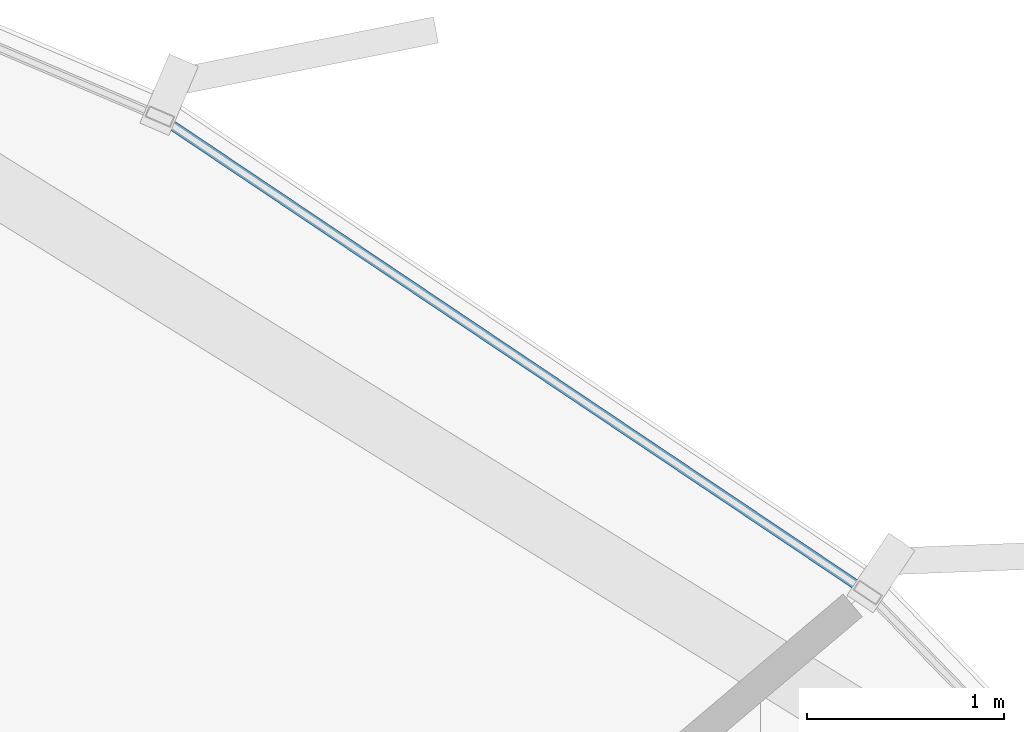
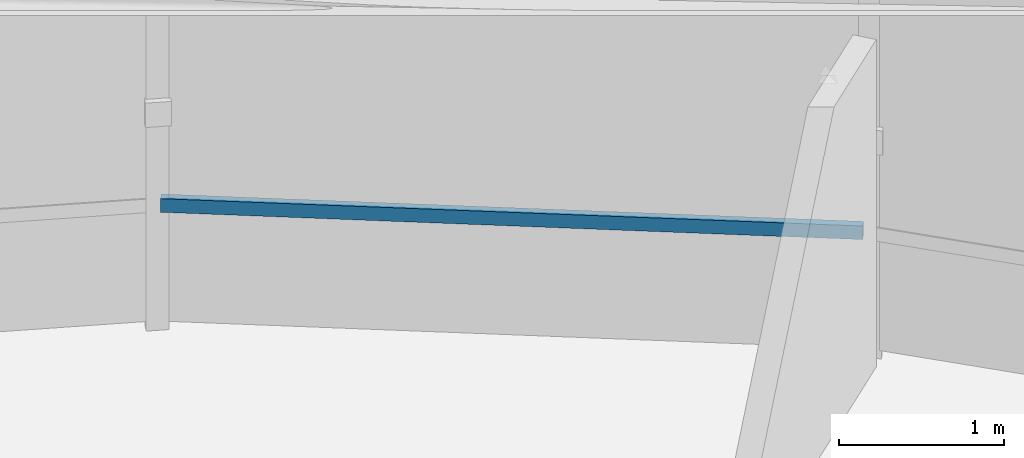
# One storey, part 28 of 37: 1 member, 1 element without a shape of its own.
"""IFC4 building model written with IfcOpenShell, lengths in metres."""

import ifcopenshell
import ifcopenshell.guid

model = None  # the IFC model being written
_history = None  # IfcOwnerHistory: only IFC2X3 demands one
_inside = {}  # id of a spatial element -> (the spatial element, [elements in it])
_under = {}  # id of a project, library or spatial element -> (it, [spatial elements below it])
_declared = {}  # id of a project -> (the project, [libraries it declares])
_typed = {}  # id of a type object -> (the type object, [elements of that type])
_made_of = {}  # id of a material, layer set ... -> (it, [elements and type objects made of it])


def new_model(schema):
    """Start an empty IFC model of exactly this schema.

    Asked for "IFC4X3", IfcOpenShell would pick the latest addendum, in which some entities
    have other attributes; the version numbers below select the first issue.
    IFC2X3 requires an IfcOwnerHistory on every rooted entity: one is made here for all.
    """
    global model, _history
    if schema == "IFC4X3":
        model = ifcopenshell.file(schema_version=(4, 3, 0, 0))
    else:
        model = ifcopenshell.file(schema=schema)
    _inside.clear()
    _under.clear()
    _declared.clear()
    _typed.clear()
    _made_of.clear()
    _history = None
    if model.schema == "IFC2X3":
        org = make("IfcOrganization", Name="unknown")
        user = make(
            "IfcPersonAndOrganization",
            ThePerson=make("IfcPerson", FamilyName="unknown"),
            TheOrganization=org,
        )
        app = make(
            "IfcApplication",
            ApplicationDeveloper=org,
            Version="unknown",
            ApplicationFullName="unknown",
            ApplicationIdentifier="unknown",
        )
        _history = make(
            "IfcOwnerHistory",
            OwningUser=user,
            OwningApplication=app,
            ChangeAction="ADDED",
            CreationDate=0,
        )
    return model


def make(cls, **values):
    """One entity of the class cls with the attributes given. An attribute that is None is left unset."""
    return model.create_entity(
        cls, **{name: value for name, value in values.items() if value is not None}
    )


def rooted(cls, **values):
    """An entity with a GlobalId (a new one), such as an element, a storey or a relation."""
    return make(cls, GlobalId=ifcopenshell.guid.new(), OwnerHistory=_history, **values)


def si_unit(unit_type, name, prefix=None):
    """IfcSIUnit, for example si_unit("LENGTHUNIT", "METRE", prefix="MILLI")."""
    return make("IfcSIUnit", UnitType=unit_type, Prefix=prefix, Name=name)


def assignment(units):
    """IfcUnitAssignment: the units of a project."""
    return None if units is None else make("IfcUnitAssignment", Units=units)


def point(xyz):
    """IfcCartesianPoint."""
    return None if xyz is None else make("IfcCartesianPoint", Coordinates=xyz)


def direction(xyz):
    """IfcDirection."""
    return None if xyz is None else make("IfcDirection", DirectionRatios=xyz)


def frame(location, z_axis=None, x_axis=None):
    """IfcAxis2Placement3D, a coordinate frame: its origin and axes. An axis left out is left unset."""
    return make(
        "IfcAxis2Placement3D",
        Location=point(location),
        Axis=direction(z_axis),
        RefDirection=direction(x_axis),
    )


def frame_2d(location, x_axis=None):
    """IfcAxis2Placement2D, a coordinate frame in the plane: its origin and x axis."""
    return make(
        "IfcAxis2Placement2D", Location=point(location), RefDirection=direction(x_axis)
    )


def origin():
    """The frame at (0, 0, 0) with its axes left unset."""
    return frame((0.0, 0.0, 0.0))


def origin_2d():
    """The frame at (0, 0) in the plane with its x axis left unset."""
    return frame_2d((0.0, 0.0))


def place(relative_to, where):
    """IfcLocalPlacement: puts the frame where relative to a parent placement (None: the world)."""
    return make(
        "IfcLocalPlacement", PlacementRelTo=relative_to, RelativePlacement=where
    )


def context(
    kind, dimensions, precision=None, world=None, true_north=None, identifier=None
):
    """IfcGeometricRepresentationContext, for example the 3D "Model" context."""
    return make(
        "IfcGeometricRepresentationContext",
        ContextIdentifier=identifier,
        ContextType=kind,
        CoordinateSpaceDimension=dimensions,
        Precision=precision,
        WorldCoordinateSystem=world,
        TrueNorth=true_north,
    )


def subcontext(parent, identifier, kind, view, scale=None):
    """IfcGeometricRepresentationSubContext, for example "Body" below "Model"."""
    return make(
        "IfcGeometricRepresentationSubContext",
        ContextIdentifier=identifier,
        ContextType=kind,
        ParentContext=parent,
        TargetScale=scale,
        TargetView=view,
    )


def project(units=None, contexts=None):
    """IfcProject with its units and contexts."""
    return rooted(
        "IfcProject",
        Name="project",
        RepresentationContexts=contexts,
        UnitsInContext=assignment(units),
    )


def spatial(cls, under=None, at=None, **own):
    """A site, building, storey or space (cls), placed at a placement, below another one or the project."""
    s = rooted(cls, ObjectPlacement=at, **own)
    if under is not None:
        _under.setdefault(under.id(), (under, []))[1].append(s)
    return s


def profile(cls, at=None, kind="AREA", **sizes):
    """A parametric profile (cls). Its sizes go by their IFC names, for example OverallWidth=200.0."""
    return make(cls, ProfileType=kind, Position=at, **sizes)


def hollow_rectangle(**sizes):
    """IfcRectangleHollowProfileDef."""
    return profile("IfcRectangleHollowProfileDef", **sizes)


def extrude(swept, where, along, depth):
    """IfcExtrudedAreaSolid: the profile swept, set in the frame where, extruded along a direction by depth."""
    return make(
        "IfcExtrudedAreaSolid",
        SweptArea=swept,
        Position=where,
        ExtrudedDirection=direction(along),
        Depth=depth,
    )


def shape(context_of_items, identifier, shape_type, items):
    """IfcShapeRepresentation: the items that make up one representation, for example the "Body"."""
    return make(
        "IfcShapeRepresentation",
        ContextOfItems=context_of_items,
        RepresentationIdentifier=identifier,
        RepresentationType=shape_type,
        Items=items,
    )


def source(mapping_origin, context_of_items, identifier, shape_type, items):
    """IfcRepresentationMap: a shape defined once, which mapped items show again and again."""
    return make(
        "IfcRepresentationMap",
        MappingOrigin=mapping_origin,
        MappedRepresentation=shape(context_of_items, identifier, shape_type, items),
    )


def transform(
    local_origin,
    x_axis=None,
    y_axis=None,
    z_axis=None,
    scale=None,
    scale2=None,
    scale3=None,
    uniform=True,
):
    """IfcCartesianTransformationOperator3D, or its non-uniform kind. x_axis, y_axis, z_axis: its Axis1, 2, 3."""
    if uniform:
        return make(
            "IfcCartesianTransformationOperator3D",
            Axis1=direction(x_axis),
            Axis2=direction(y_axis),
            LocalOrigin=point(local_origin),
            Scale=scale,
            Axis3=direction(z_axis),
        )
    return make(
        "IfcCartesianTransformationOperator3DnonUniform",
        Axis1=direction(x_axis),
        Axis2=direction(y_axis),
        LocalOrigin=point(local_origin),
        Scale=scale,
        Axis3=direction(z_axis),
        Scale2=scale2,
        Scale3=scale3,
    )


def mapped(mapping_source, mapping_target):
    """IfcMappedItem: shows the shape of a source again, moved by a transform."""
    return make(
        "IfcMappedItem", MappingSource=mapping_source, MappingTarget=mapping_target
    )


def material(Name=None, Category=None):
    """IfcMaterial."""
    return make("IfcMaterial", Name=Name, Category=Category)


def layer(
    of_material, thickness, ventilated=None, Name=None, Category=None, Priority=None
):
    """IfcMaterialLayer: one layer of a wall or slab, of a material (None: an air gap)."""
    return make(
        "IfcMaterialLayer",
        Material=of_material,
        LayerThickness=thickness,
        IsVentilated=ventilated,
        Name=Name,
        Category=Category,
        Priority=Priority,
    )


def layer_set(layers, Name=None):
    """IfcMaterialLayerSet."""
    return make("IfcMaterialLayerSet", MaterialLayers=layers, LayerSetName=Name)


def material_profile(
    of_material, cross_section, Name=None, Category=None, Priority=None
):
    """IfcMaterialProfile: a cross section and its material."""
    return make(
        "IfcMaterialProfile",
        Name=Name,
        Material=of_material,
        Profile=cross_section,
        Priority=Priority,
        Category=Category,
    )


def profile_set(profiles, Name=None, composite=None):
    """IfcMaterialProfileSet."""
    return make(
        "IfcMaterialProfileSet",
        Name=Name,
        MaterialProfiles=profiles,
        CompositeProfile=composite,
    )


def made_of(thing, what):
    """Note that an element or type object is made of a material, layer set ...; save() writes the relation."""
    if what is not None:
        _made_of.setdefault(what.id(), (what, []))[1].append(thing)
    return thing


def type_object(cls, material=None, **own):
    """A type object (cls), such as IfcWallType, which elements share."""
    return made_of(rooted(cls, **own), material)


def element(
    cls,
    number,
    at=None,
    inside=None,
    cuts=None,
    type_object=None,
    material=None,
    context=None,
    identifier="Body",
    shape_type=None,
    held_by="IfcProductDefinitionShape",
    body=None,
    shapes=None,
    **own,
):
    """One element of the class cls, such as IfcWall. Its Tag is "e" and its number.

    at: its placement. inside: the storey or other place that contains it. cuts: it is an
    opening in that element (IfcRelVoidsElement). A single representation is given by context,
    identifier, shape_type and body (its items); several are given by shapes. held_by: the class
    of the entity that holds the representations. save() writes the other relations.
    """
    e = rooted(cls, Tag="e%d" % number, ObjectPlacement=at, **own)
    if body is not None:
        shapes = [shape(context, identifier, shape_type, body)]
    if shapes is not None:
        e.Representation = make(held_by, Representations=shapes)
    if inside is not None:
        _inside.setdefault(inside.id(), (inside, []))[1].append(e)
    if cuts is not None:
        rooted(
            "IfcRelVoidsElement", RelatingBuildingElement=cuts, RelatedOpeningElement=e
        )
    if type_object is not None:
        _typed.setdefault(type_object.id(), (type_object, []))[1].append(e)
    return made_of(e, material)


def aggregate(whole, parts):
    """IfcRelAggregates: a whole, such as a stair, and the parts it consists of."""
    return rooted("IfcRelAggregates", RelatingObject=whole, RelatedObjects=parts)


def save(model, path):
    """Write the relations noted so far, then the file.

    IfcRelAggregates (storeys below a building ...), IfcRelContainedInSpatialStructure (elements
    in a storey), IfcRelDefinesByType, IfcRelAssociatesMaterial and IfcRelDeclares: one each for
    every whole, place, type object, material and project.
    """
    for whole, parts in _under.values():
        aggregate(whole, parts)
    for where, things in _inside.values():
        rooted(
            "IfcRelContainedInSpatialStructure",
            RelatedElements=things,
            RelatingStructure=where,
        )
    for kind, things in _typed.values():
        rooted("IfcRelDefinesByType", RelatedObjects=things, RelatingType=kind)
    for what, things in _made_of.values():
        rooted("IfcRelAssociatesMaterial", RelatedObjects=things, RelatingMaterial=what)
    for by, libraries in _declared.values():
        rooted("IfcRelDeclares", RelatingContext=by, RelatedDefinitions=libraries)
    model.write(path)


model = new_model("IFC4")

# Units and contexts
model_context = context("Model", 3, precision=1e-05, world=origin(), true_north=direction((0.0, 1.0)))
body_context = subcontext(model_context, "Body", "Model", "MODEL_VIEW")
ifc_project = project(units=[si_unit("LENGTHUNIT", "METRE"), si_unit("AREAUNIT", "SQUARE_METRE"), si_unit("VOLUMEUNIT", "CUBIC_METRE"), si_unit("PLANEANGLEUNIT", "RADIAN"), si_unit("MASSUNIT", "GRAM", prefix="KILO"), si_unit("THERMODYNAMICTEMPERATUREUNIT", "KELVIN")], contexts=[model_context])

# Site, building, storey
site_placement = place(None, origin())
site = spatial("IfcSite", under=ifc_project, at=site_placement, CompositionType="ELEMENT")
building_placement = place(site_placement, origin())
building = spatial("IfcBuilding", under=site, at=building_placement, Name="Kethvar Cultural Tower", CompositionType="ELEMENT")
storey_placement = place(building_placement, frame((0.0, 0.0, 132.35009765625)))
storey = spatial("IfcBuildingStorey", under=building, at=storey_placement, Name="L33", CompositionType="ELEMENT", Elevation=132.35009765625)

# Curtain wall, member
ifc_material = material(Name="Aluminium 6063-T6", Category="aluminium")
ifc_layer = layer(ifc_material, 0.179931640625, Name="Aluminium 6063-T6", Category="aluminium")
ifc_layer_set = layer_set([ifc_layer], Name="Aluminium 6063-T6 (180 mm)")
curtain_wall_type = type_object("IfcCurtainWallType", Name="CW-SYS-04-Z34", PredefinedType="NOTDEFINED", material=ifc_layer_set)
curtain_wall_placement = place(storey_placement, origin())
curtain_wall = element("IfcCurtainWall", 1, at=curtain_wall_placement, inside=storey, type_object=curtain_wall_type, Name="L33 Curtain Wall Run 01", PredefinedType="NOTDEFINED")
ifc_material_profile = material_profile(ifc_material, hollow_rectangle(XDim=0.050048828125, YDim=0.10009765625, WallThickness=0.00390625, at=origin_2d()), Name="Aluminium 6063-T6 — RHS100x50x4")
ifc_profile_set = profile_set([ifc_material_profile], Name="Aluminium 6063-T6 — RHS100x50x4")
member_type = type_object("IfcMemberType", Name="CW-SYS-04-Z34-TRN", PredefinedType="USERDEFINED", material=ifc_profile_set)
shared_shape = source(origin(), body_context, "Body", "SweptSolid", [
    extrude(hollow_rectangle(XDim=0.050048828125, YDim=0.10009765625, WallThickness=0.00390625, at=origin_2d()), origin(), (0.0, 0.0, 1.0), 4.25537109375),
])
member_placement = place(storey_placement, frame((68.751953125, 46.452880859375, 0.949951171875), z_axis=(-0.830112254754, 0.557596309624, 0.0), x_axis=(-0.557596309624, -0.830112254754, 0.0)))
member = element("IfcMember", 2, at=member_placement, type_object=member_type, Name="CW-L33-R01 Transom 3", ObjectType="TRANSOM", PredefinedType="USERDEFINED", context=body_context, shape_type="MappedRepresentation", body=[
    mapped(shared_shape, transform((0.0, 0.0, 0.0), scale=1.0)),
])
aggregate(curtain_wall, [member])

save(model, "model.ifc")
